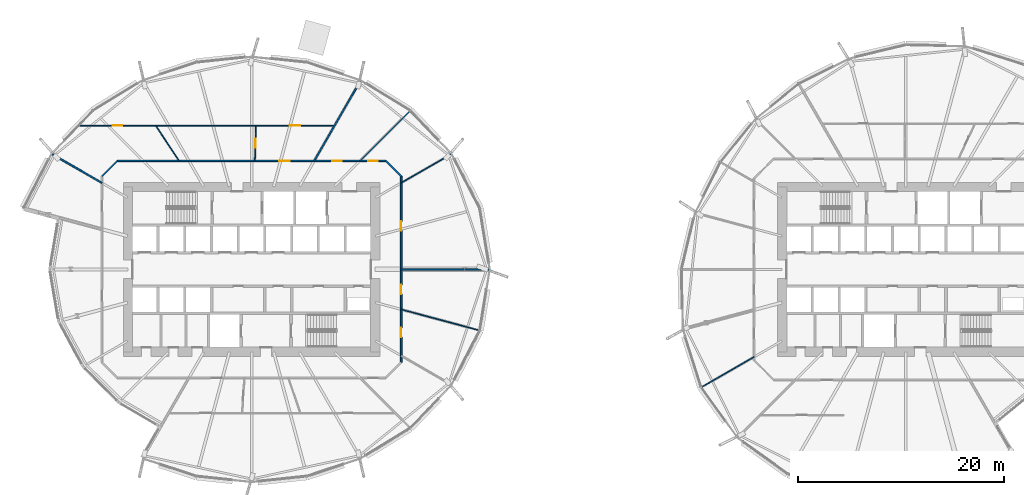
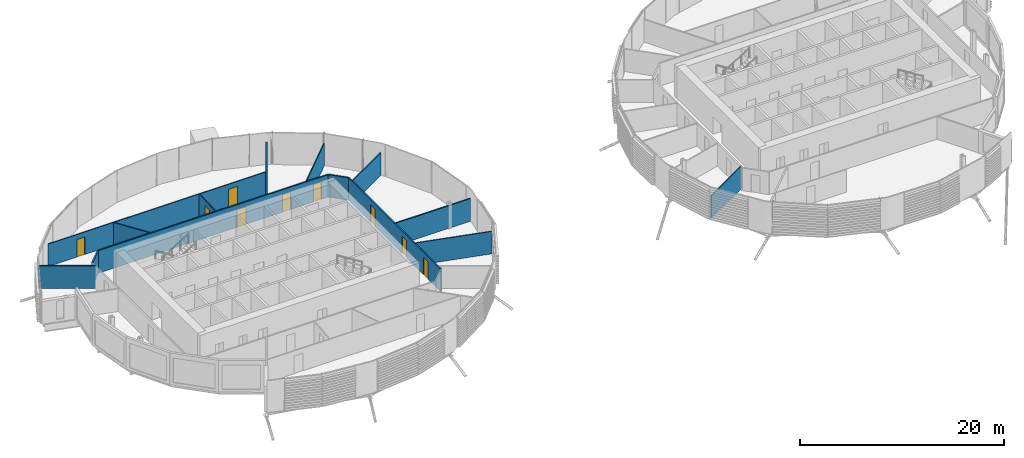
# One storey, part 23 of 38: 14 walls, 9 doors, 9 openings.
"""IFC4 building model written with IfcOpenShell, lengths in metres."""

from ifc_helpers import new_model, si_unit, direction, frame, frame_2d, origin, place, context, subcontext, project, spatial, rectangle, extrude, material, layer, layer_set, type_object, element, fill, save


model = new_model("IFC4")

# Units and contexts
model_context = context("Model", 3, precision=1e-05, world=origin(), true_north=direction((0.0, 1.0)))
body_context = subcontext(model_context, "Body", "Model", "MODEL_VIEW")
ifc_project = project(units=[si_unit("LENGTHUNIT", "METRE"), si_unit("AREAUNIT", "SQUARE_METRE"), si_unit("VOLUMEUNIT", "CUBIC_METRE"), si_unit("PLANEANGLEUNIT", "RADIAN"), si_unit("MASSUNIT", "GRAM", prefix="KILO")], contexts=[model_context])

# Site, building, storey
site_placement = place(None, origin())
site = spatial("IfcSite", under=ifc_project, at=site_placement, CompositionType="ELEMENT")
building_placement = place(site_placement, origin())
building = spatial("IfcBuilding", under=site, at=building_placement, Name="Rimbun Link Towers", CompositionType="ELEMENT")
storey_placement = place(building_placement, frame((0.0, 0.0, 56.60009765625)))
storey = spatial("IfcBuildingStorey", under=building, at=storey_placement, Name="L13", CompositionType="ELEMENT", Elevation=56.60009765625)

# Wall, openings, doors
ifc_material_1 = material(Name="Plasterboard on steel stud, mineral wool", Category="steel")
ifc_layer_1 = layer(ifc_material_1, 0.14990234375)
ifc_layer_set_1 = layer_set([ifc_layer_1], Name="Corridor wall EI 30 150 mm")
wall_type_1 = type_object("IfcWallType", Name="Corridor wall EI 30 150 mm", PredefinedType="PARTITIONING", material=ifc_layer_set_1)
wall_1_placement = place(storey_placement, frame((-44.776611328125, 10.52490234375, 0.0), z_axis=(0.0, 0.0, 1.0), x_axis=(1.0, 0.0, 0.0)))
wall_1 = element("IfcWall", 1, at=wall_1_placement, inside=storey, type_object=wall_type_1, Name="Corridor wall EI 30 150 mm", PredefinedType="PARTITIONING", context=body_context, shape_type="SweptSolid", body=[
    extrude(rectangle(XDim=26.05322265625, YDim=0.14990234375, at=frame_2d((13.026611328125, 0.0))), origin(), (0.0, 0.0, 1.0), 2.701904296875),
])
opening_1_placement = place(wall_1_placement, frame((24.3525390625, 0.0, 0.0)))
opening_1 = element("IfcOpeningElement", 2, at=opening_1_placement, cuts=wall_1, Name="Opening D02", PredefinedType="OPENING", context=body_context, shape_type="SweptSolid", body=[
    extrude(rectangle(XDim=0.89990234375, YDim=2.10009765625, at=frame_2d((0.449951171875, 1.050048828125))), frame((0.0, 0.0849609375, 0.0), z_axis=(0.0, -1.0, 0.0), x_axis=(1.0, 0.0, 0.0)), (0.0, 0.0, 1.0), 0.169921875),
])
opening_2_placement = place(wall_1_placement, frame((20.87744140625, 0.0, 0.0)))
opening_2 = element("IfcOpeningElement", 3, at=opening_2_placement, cuts=wall_1, Name="Opening D02", PredefinedType="OPENING", context=body_context, shape_type="SweptSolid", body=[
    extrude(rectangle(XDim=0.89990234375, YDim=2.10009765625, at=frame_2d((0.449951171875, 1.050048828125))), frame((0.0, 0.0849609375, 0.0), z_axis=(0.0, -1.0, 0.0), x_axis=(1.0, 0.0, 0.0)), (0.0, 0.0, 1.0), 0.169921875),
])
opening_3_placement = place(wall_1_placement, frame((15.727294921875, 0.0, 0.0)))
opening_3 = element("IfcOpeningElement", 4, at=opening_3_placement, cuts=wall_1, Name="Opening D01", PredefinedType="OPENING", context=body_context, shape_type="SweptSolid", body=[
    extrude(rectangle(XDim=1.0, YDim=2.10009765625, at=frame_2d((0.5, 1.050048828125))), frame((0.0, 0.0849609375, 0.0), z_axis=(0.0, -1.0, 0.0), x_axis=(1.0, 0.0, 0.0)), (0.0, 0.0, 1.0), 0.169921875),
])
ifc_material_2 = material(Name="Fire-resisting timber door leaf", Category="wood")
door_type_1 = type_object("IfcDoorType", Name="Fire door FD30S 1000", OperationType="NOTDEFINED", PredefinedType="DOOR", material=ifc_material_2)
door_1_placement = place(opening_3_placement, origin())
door_1 = element("IfcDoor", 5, at=door_1_placement, inside=storey, type_object=door_type_1, Name="Fire door FD30S 1000 to Reception", OperationType="SINGLE_SWING_RIGHT", OverallHeight=2.10009765625, OverallWidth=1.0, PredefinedType="DOOR", context=body_context, shape_type="SweptSolid", body=[
    extrude(rectangle(XDim=1.0, YDim=2.10009765625, at=frame_2d((0.5, 1.050048828125))), frame((0.0, 0.02490234375, 0.0), z_axis=(0.0, -1.0, 0.0), x_axis=(1.0, 0.0, 0.0)), (0.0, 0.0, 1.0), 0.050048828125),
])
fill(opening_3, door_1)
ifc_material_3 = material(Name="Fire-resisting timber door leaf", Category="wood")
door_type_2 = type_object("IfcDoorType", Name="Fire door FD30S 900", OperationType="NOTDEFINED", PredefinedType="DOOR", material=ifc_material_3)
door_2_placement = place(opening_1_placement, origin())
door_2 = element("IfcDoor", 6, at=door_2_placement, inside=storey, type_object=door_type_2, Name="Fire door FD30S 900 to Cellular office", OperationType="SINGLE_SWING_RIGHT", OverallHeight=2.10009765625, OverallWidth=0.89990234375, PredefinedType="DOOR", context=body_context, shape_type="SweptSolid", body=[
    extrude(rectangle(XDim=0.89990234375, YDim=2.10009765625, at=frame_2d((0.449951171875, 1.050048828125))), frame((0.0, 0.02490234375, 0.0), z_axis=(0.0, -1.0, 0.0), x_axis=(1.0, 0.0, 0.0)), (0.0, 0.0, 1.0), 0.050048828125),
])
fill(opening_1, door_2)
door_3_placement = place(opening_2_placement, origin())
door_3 = element("IfcDoor", 7, at=door_3_placement, inside=storey, type_object=door_type_2, Name="Fire door FD30S 900 to Meeting room", OperationType="SINGLE_SWING_LEFT", OverallHeight=2.10009765625, OverallWidth=0.89990234375, PredefinedType="DOOR", context=body_context, shape_type="SweptSolid", body=[
    extrude(rectangle(XDim=0.89990234375, YDim=2.10009765625, at=frame_2d((0.449951171875, 1.050048828125))), frame((0.0, 0.02490234375, 0.0), z_axis=(0.0, -1.0, 0.0), x_axis=(1.0, 0.0, 0.0)), (0.0, 0.0, 1.0), 0.050048828125),
])
fill(opening_2, door_3)

# Wall
wall_2_placement = place(storey_placement, frame((-17.22509765625, 9.026611328125, 0.0), z_axis=(0.0, 0.0, 1.0), x_axis=(-0.707106781187, 0.707106781187, 0.0)))
element("IfcWall", 8, at=wall_2_placement, inside=storey, type_object=wall_type_1, Name="Corridor wall EI 30 150 mm", PredefinedType="PARTITIONING", context=body_context, shape_type="SweptSolid", body=[
    extrude(rectangle(XDim=2.118896484375, YDim=0.14990234375, at=frame_2d((1.0595703125, 0.0))), origin(), (0.0, 0.0, 1.0), 2.701904296875),
])

# Wall, openings, doors
wall_3_placement = place(storey_placement, frame((-17.22509765625, 9.026611328125, 0.0), z_axis=(0.0, 0.0, 1.0), x_axis=(0.0, -1.0, 0.0)))
wall_3 = element("IfcWall", 9, at=wall_3_placement, inside=storey, type_object=wall_type_1, Name="Corridor wall EI 30 150 mm", PredefinedType="PARTITIONING", context=body_context, shape_type="SweptSolid", body=[
    extrude(rectangle(XDim=18.05322265625, YDim=0.14990234375, at=frame_2d((9.026611328125, 0.0))), origin(), (0.0, 0.0, 1.0), 2.701904296875),
])
opening_4_placement = place(wall_3_placement, frame((14.7158203125, 0.0, 0.0)))
opening_4 = element("IfcOpeningElement", 10, at=opening_4_placement, cuts=wall_3, Name="Opening D02", PredefinedType="OPENING", context=body_context, shape_type="SweptSolid", body=[
    extrude(rectangle(XDim=0.89990234375, YDim=2.10009765625, at=frame_2d((0.449951171875, 1.050048828125))), frame((0.0, 0.0849609375, 0.0), z_axis=(0.0, -1.0, 0.0), x_axis=(1.0, 0.0, 0.0)), (0.0, 0.0, 1.0), 0.169921875),
])
opening_5_placement = place(wall_3_placement, frame((10.522705078125, 0.0, 0.0)))
opening_5 = element("IfcOpeningElement", 11, at=opening_5_placement, cuts=wall_3, Name="Opening D02", PredefinedType="OPENING", context=body_context, shape_type="SweptSolid", body=[
    extrude(rectangle(XDim=0.89990234375, YDim=2.10009765625, at=frame_2d((0.449951171875, 1.050048828125))), frame((0.0, 0.0849609375, 0.0), z_axis=(0.0, -1.0, 0.0), x_axis=(1.0, 0.0, 0.0)), (0.0, 0.0, 1.0), 0.169921875),
])
opening_6_placement = place(wall_3_placement, frame((4.3837890625, 0.0, 0.0)))
opening_6 = element("IfcOpeningElement", 12, at=opening_6_placement, cuts=wall_3, Name="Opening D02", PredefinedType="OPENING", context=body_context, shape_type="SweptSolid", body=[
    extrude(rectangle(XDim=0.89990234375, YDim=2.10009765625, at=frame_2d((0.449951171875, 1.050048828125))), frame((0.0, 0.0849609375, 0.0), z_axis=(0.0, -1.0, 0.0), x_axis=(1.0, 0.0, 0.0)), (0.0, 0.0, 1.0), 0.169921875),
])
door_4_placement = place(opening_4_placement, origin())
door_4 = element("IfcDoor", 13, at=door_4_placement, inside=storey, type_object=door_type_2, Name="Fire door FD30S 900 to Meeting room", OperationType="SINGLE_SWING_LEFT", OverallHeight=2.10009765625, OverallWidth=0.89990234375, PredefinedType="DOOR", context=body_context, shape_type="SweptSolid", body=[
    extrude(rectangle(XDim=0.89990234375, YDim=2.10009765625, at=frame_2d((0.449951171875, 1.050048828125))), frame((0.0, 0.02490234375, 0.0), z_axis=(0.0, -1.0, 0.0), x_axis=(1.0, 0.0, 0.0)), (0.0, 0.0, 1.0), 0.050048828125),
])
fill(opening_4, door_4)
door_5_placement = place(opening_5_placement, origin())
door_5 = element("IfcDoor", 14, at=door_5_placement, inside=storey, type_object=door_type_2, Name="Fire door FD30S 900 to Meeting room", OperationType="SINGLE_SWING_RIGHT", OverallHeight=2.10009765625, OverallWidth=0.89990234375, PredefinedType="DOOR", context=body_context, shape_type="SweptSolid", body=[
    extrude(rectangle(XDim=0.89990234375, YDim=2.10009765625, at=frame_2d((0.449951171875, 1.050048828125))), frame((0.0, 0.02490234375, 0.0), z_axis=(0.0, -1.0, 0.0), x_axis=(1.0, 0.0, 0.0)), (0.0, 0.0, 1.0), 0.050048828125),
])
fill(opening_5, door_5)
door_6_placement = place(opening_6_placement, origin())
door_6 = element("IfcDoor", 15, at=door_6_placement, inside=storey, type_object=door_type_2, Name="Fire door FD30S 900 to Cellular office", OperationType="SINGLE_SWING_LEFT", OverallHeight=2.10009765625, OverallWidth=0.89990234375, PredefinedType="DOOR", context=body_context, shape_type="SweptSolid", body=[
    extrude(rectangle(XDim=0.89990234375, YDim=2.10009765625, at=frame_2d((0.449951171875, 1.050048828125))), frame((0.0, 0.02490234375, 0.0), z_axis=(0.0, -1.0, 0.0), x_axis=(1.0, 0.0, 0.0)), (0.0, 0.0, 1.0), 0.050048828125),
])
fill(opening_6, door_6)

# Walls
wall_4_placement = place(storey_placement, frame((-44.776611328125, 10.52490234375, 0.0), z_axis=(0.0, 0.0, 1.0), x_axis=(-0.707106781187, -0.707106781187, 0.0)))
element("IfcWall", 16, at=wall_4_placement, inside=storey, type_object=wall_type_1, Name="Corridor wall EI 30 150 mm", PredefinedType="PARTITIONING", context=body_context, shape_type="SweptSolid", body=[
    extrude(rectangle(XDim=2.118896484375, YDim=0.14990234375, at=frame_2d((1.0595703125, 0.0))), origin(), (0.0, 0.0, 1.0), 2.701904296875),
])
ifc_material_4 = material(Name="Plasterboard on steel stud", Category="steel")
ifc_layer_2 = layer(ifc_material_4, 0.10009765625)
ifc_layer_set_2 = layer_set([ifc_layer_2], Name="Plasterboard partition 100 mm")
wall_type_2 = type_object("IfcWallType", Name="Plasterboard partition 100 mm", PredefinedType="PARTITIONING", material=ifc_layer_set_2)
wall_5_placement = place(storey_placement, frame((-9.652587890625, -5.9208984375, 0.0), z_axis=(0.0, 0.0, 1.0), x_axis=(-0.965933456467, 0.258790567213, 0.0)))
element("IfcWall", 17, at=wall_5_placement, inside=storey, type_object=wall_type_2, Name="Plasterboard partition 100 mm", PredefinedType="PARTITIONING", context=body_context, shape_type="SweptSolid", body=[
    extrude(rectangle(XDim=7.839599609375, YDim=0.10009765625, at=frame_2d((3.919921875, 0.0))), origin(), (0.0, 0.0, 1.0), 2.701904296875),
])
wall_6_placement = place(storey_placement, frame((-12.37646484375, 11.185302734375, 0.0), z_axis=(0.0, 0.0, 1.0), x_axis=(-0.866028733576, -0.499994232587, 0.0)))
element("IfcWall", 18, at=wall_6_placement, inside=storey, type_object=wall_type_2, Name="Plasterboard partition 100 mm", PredefinedType="PARTITIONING", context=body_context, shape_type="SweptSolid", body=[
    extrude(rectangle(XDim=5.5986328125, YDim=0.10009765625, at=frame_2d((2.79931640625, 0.0))), origin(), (0.0, 0.0, 1.0), 2.701904296875),
])
wall_7_placement = place(storey_placement, frame((-16.384521484375, 15.365478515625, 0.0), z_axis=(0.0, 0.0, 1.0), x_axis=(-0.707106781187, -0.707106781187, 0.0)))
element("IfcWall", 19, at=wall_7_placement, inside=storey, type_object=wall_type_2, Name="Plasterboard partition 100 mm", PredefinedType="PARTITIONING", context=body_context, shape_type="SweptSolid", body=[
    extrude(rectangle(XDim=6.845703125, YDim=0.10009765625, at=frame_2d((3.4228515625, 0.0))), origin(), (0.0, 0.0, 1.0), 2.701904296875),
])

# Wall, opening, door
wall_8_placement = place(storey_placement, frame((-31.425537109375, 10.52490234375, 0.0), z_axis=(0.0, 0.0, 1.0), x_axis=(0.030751385874, 0.999527064299, 0.0)))
wall_8 = element("IfcWall", 20, at=wall_8_placement, inside=storey, type_object=wall_type_2, Name="Plasterboard partition 100 mm", PredefinedType="PARTITIONING", context=body_context, shape_type="SweptSolid", body=[
    extrude(rectangle(XDim=3.421875, YDim=0.10009765625, at=frame_2d((1.7109375, 0.0))), origin(), (0.0, 0.0, 1.0), 2.701904296875),
])
opening_7_placement = place(wall_8_placement, frame((1.2607421875, 0.0, 0.0)))
opening_7 = element("IfcOpeningElement", 21, at=opening_7_placement, cuts=wall_8, Name="Opening D04", PredefinedType="OPENING", context=body_context, shape_type="SweptSolid", body=[
    extrude(rectangle(XDim=0.89990234375, YDim=2.10009765625, at=frame_2d((0.449951171875, 1.050048828125))), frame((0.0, 0.06005859375, 0.0), z_axis=(0.0, -1.0, 0.0), x_axis=(1.0, 0.0, 0.0)), (0.0, 0.0, 1.0), 0.1201171875),
])
ifc_material_5 = material(Name="Timber door leaf", Category="wood")
door_type_3 = type_object("IfcDoorType", Name="Flush door 900", OperationType="NOTDEFINED", PredefinedType="DOOR", material=ifc_material_5)
door_7_placement = place(opening_7_placement, origin())
door_7 = element("IfcDoor", 22, at=door_7_placement, inside=storey, type_object=door_type_3, Name="Flush door 900 to Meeting room", OperationType="SINGLE_SWING_LEFT", OverallHeight=2.10009765625, OverallWidth=0.89990234375, PredefinedType="DOOR", context=body_context, shape_type="SweptSolid", body=[
    extrude(rectangle(XDim=0.89990234375, YDim=2.10009765625, at=frame_2d((0.449951171875, 1.050048828125))), frame((0.0, 0.02490234375, 0.0), z_axis=(0.0, -1.0, 0.0), x_axis=(1.0, 0.0, 0.0)), (0.0, 0.0, 1.0), 0.050048828125),
])
fill(opening_7, door_7)

# Wall, openings, doors
wall_9_placement = place(storey_placement, frame((-48.4775390625, 13.945068359375, 0.0), z_axis=(0.0, 0.0, 1.0), x_axis=(1.0, 0.0, 0.0)))
wall_9 = element("IfcWall", 23, at=wall_9_placement, inside=storey, type_object=wall_type_2, Name="Plasterboard partition 100 mm", PredefinedType="PARTITIONING", context=body_context, shape_type="SweptSolid", body=[
    extrude(rectangle(XDim=24.77880859375, YDim=0.10009765625, at=frame_2d((12.389404296875, 0.0))), origin(), (0.0, 0.0, 1.0), 2.701904296875),
])
opening_8_placement = place(wall_9_placement, frame((20.453125, 0.0, 0.0)))
opening_8 = element("IfcOpeningElement", 24, at=opening_8_placement, cuts=wall_9, Name="Opening D03", PredefinedType="OPENING", context=body_context, shape_type="SweptSolid", body=[
    extrude(rectangle(XDim=1.0, YDim=2.10009765625, at=frame_2d((0.5, 1.050048828125))), frame((0.0, 0.06005859375, 0.0), z_axis=(0.0, -1.0, 0.0), x_axis=(1.0, 0.0, 0.0)), (0.0, 0.0, 1.0), 0.1201171875),
])
opening_9_placement = place(wall_9_placement, frame((3.258544921875, 0.0, 0.0)))
opening_9 = element("IfcOpeningElement", 25, at=opening_9_placement, cuts=wall_9, Name="Opening D04", PredefinedType="OPENING", context=body_context, shape_type="SweptSolid", body=[
    extrude(rectangle(XDim=0.89990234375, YDim=2.10009765625, at=frame_2d((0.449951171875, 1.050048828125))), frame((0.0, 0.06005859375, 0.0), z_axis=(0.0, -1.0, 0.0), x_axis=(1.0, 0.0, 0.0)), (0.0, 0.0, 1.0), 0.1201171875),
])
ifc_material_6 = material(Name="Timber door leaf", Category="wood")
door_type_4 = type_object("IfcDoorType", Name="Flush door 1000", OperationType="NOTDEFINED", PredefinedType="DOOR", material=ifc_material_6)
door_8_placement = place(opening_8_placement, origin())
door_8 = element("IfcDoor", 26, at=door_8_placement, inside=storey, type_object=door_type_4, Name="Flush door 1000 to Open office", OperationType="SINGLE_SWING_RIGHT", OverallHeight=2.10009765625, OverallWidth=1.0, PredefinedType="DOOR", context=body_context, shape_type="SweptSolid", body=[
    extrude(rectangle(XDim=1.0, YDim=2.10009765625, at=frame_2d((0.5, 1.050048828125))), frame((0.0, 0.02490234375, 0.0), z_axis=(0.0, -1.0, 0.0), x_axis=(1.0, 0.0, 0.0)), (0.0, 0.0, 1.0), 0.050048828125),
])
fill(opening_8, door_8)
door_9_placement = place(opening_9_placement, origin())
door_9 = element("IfcDoor", 27, at=door_9_placement, inside=storey, type_object=door_type_3, Name="Flush door 900 to Print room", OperationType="SINGLE_SWING_RIGHT", OverallHeight=2.10009765625, OverallWidth=0.89990234375, PredefinedType="DOOR", context=body_context, shape_type="SweptSolid", body=[
    extrude(rectangle(XDim=0.89990234375, YDim=2.10009765625, at=frame_2d((0.449951171875, 1.050048828125))), frame((0.0, 0.02490234375, 0.0), z_axis=(0.0, -1.0, 0.0), x_axis=(1.0, 0.0, 0.0)), (0.0, 0.0, 1.0), 0.050048828125),
])
fill(opening_9, door_9)

# Walls
wall_10_placement = place(storey_placement, frame((-41.060302734375, 13.945068359375, 0.0), z_axis=(0.0, 0.0, 1.0), x_axis=(0.555220709809, -0.831703050012, 0.0)))
element("IfcWall", 28, at=wall_10_placement, inside=storey, type_object=wall_type_2, Name="Plasterboard partition 100 mm", PredefinedType="PARTITIONING", context=body_context, shape_type="SweptSolid", body=[
    extrude(rectangle(XDim=4.1123046875, YDim=0.10009765625, at=frame_2d((2.05615234375, 0.0))), origin(), (0.0, 0.0, 1.0), 2.701904296875),
])
wall_11_placement = place(storey_placement, frame((11.93798828125, -11.4384765625, 0.0), z_axis=(0.0, 0.0, 1.0), x_axis=(0.866019468283, 0.500010280449, 0.0)))
element("IfcWall", 29, at=wall_11_placement, inside=storey, type_object=wall_type_2, Name="Plasterboard partition 100 mm", PredefinedType="PARTITIONING", context=body_context, shape_type="SweptSolid", body=[
    extrude(rectangle(XDim=5.8740234375, YDim=0.10009765625, at=frame_2d((2.93701171875, 0.0))), origin(), (0.0, 0.0, 1.0), 2.701904296875),
])
ifc_material_7 = material(Name="Plasterboard on steel stud, mineral wool", Category="steel")
ifc_layer_3 = layer(ifc_material_7, 0.14990234375)
ifc_layer_set_3 = layer_set([ifc_layer_3], Name="Tenancy separation wall EI 60 150 mm")
wall_type_3 = type_object("IfcWallType", Name="Tenancy separation wall EI 60 150 mm", PredefinedType="PARTITIONING", material=ifc_layer_set_3)
wall_12_placement = place(storey_placement, frame((-17.22509765625, 0.0, 0.0), z_axis=(0.0, 0.0, 1.0), x_axis=(1.0, 0.0, 0.0)))
element("IfcWall", 30, at=wall_12_placement, inside=storey, type_object=wall_type_3, Name="Tenancy separation wall EI 60 150 mm", PredefinedType="PARTITIONING", context=body_context, shape_type="SweptSolid", body=[
    extrude(rectangle(XDim=8.546142578125, YDim=0.14990234375, at=frame_2d((4.27294921875, 0.0))), origin(), (0.0, 0.0, 1.0), 2.701904296875),
])
wall_13_placement = place(storey_placement, frame((-25.67333984375, 10.52490234375, 0.0), z_axis=(0.0, 0.0, 1.0), x_axis=(0.499992041701, 0.866029998462, 0.0)))
element("IfcWall", 31, at=wall_13_placement, inside=storey, type_object=wall_type_3, Name="Tenancy separation wall EI 60 150 mm", PredefinedType="PARTITIONING", context=body_context, shape_type="SweptSolid", body=[
    extrude(rectangle(XDim=8.989013671875, YDim=0.14990234375, at=frame_2d((4.49462890625, 0.0))), origin(), (0.0, 0.0, 1.0), 2.701904296875),
])
wall_14_placement = place(storey_placement, frame((-46.27490234375, 8.385986328125, 0.0), z_axis=(0.0, 0.0, 1.0), x_axis=(-0.866028733576, 0.499994232587, 0.0)))
element("IfcWall", 32, at=wall_14_placement, inside=storey, type_object=wall_type_3, Name="Tenancy separation wall EI 60 150 mm", PredefinedType="PARTITIONING", context=body_context, shape_type="SweptSolid", body=[
    extrude(rectangle(XDim=5.5986328125, YDim=0.14990234375, at=frame_2d((2.79931640625, 0.0))), origin(), (0.0, 0.0, 1.0), 2.701904296875),
])

save(model, "model.ifc")
